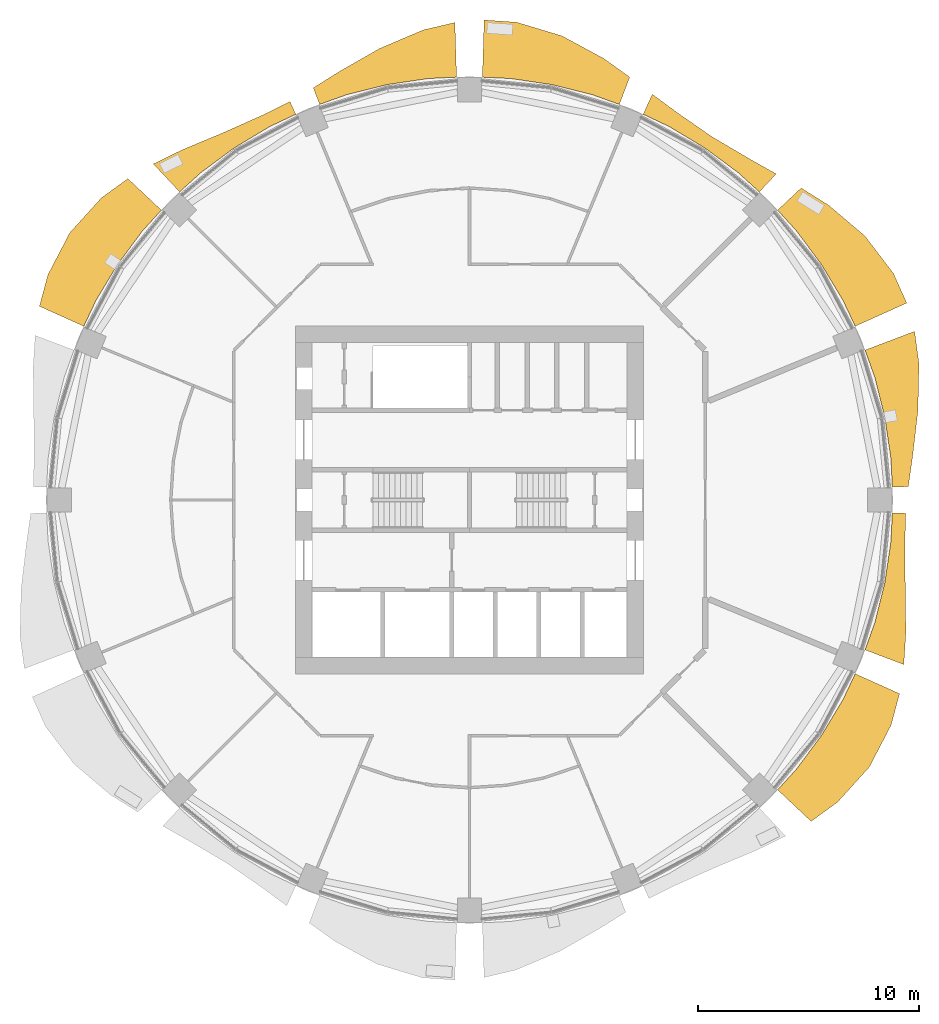
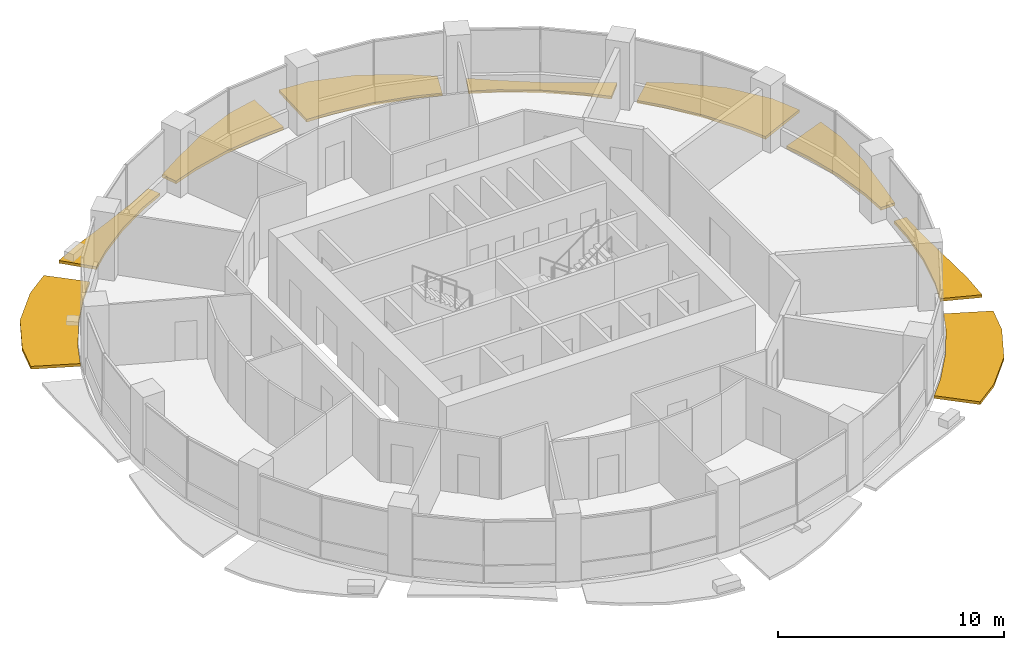
# One storey, part 13 of 14: 9 shading devices.
"""IFC4 building model written with IfcOpenShell, lengths in metres."""

import ifcopenshell
import ifcopenshell.guid

model = None  # the IFC model being written
_history = None  # IfcOwnerHistory: only IFC2X3 demands one
_inside = {}  # id of a spatial element -> (the spatial element, [elements in it])
_under = {}  # id of a project, library or spatial element -> (it, [spatial elements below it])
_declared = {}  # id of a project -> (the project, [libraries it declares])
_typed = {}  # id of a type object -> (the type object, [elements of that type])
_made_of = {}  # id of a material, layer set ... -> (it, [elements and type objects made of it])


def new_model(schema):
    """Start an empty IFC model of exactly this schema.

    Asked for "IFC4X3", IfcOpenShell would pick the latest addendum, in which some entities
    have other attributes; the version numbers below select the first issue.
    IFC2X3 requires an IfcOwnerHistory on every rooted entity: one is made here for all.
    """
    global model, _history
    if schema == "IFC4X3":
        model = ifcopenshell.file(schema_version=(4, 3, 0, 0))
    else:
        model = ifcopenshell.file(schema=schema)
    _inside.clear()
    _under.clear()
    _declared.clear()
    _typed.clear()
    _made_of.clear()
    _history = None
    if model.schema == "IFC2X3":
        org = make("IfcOrganization", Name="unknown")
        user = make(
            "IfcPersonAndOrganization",
            ThePerson=make("IfcPerson", FamilyName="unknown"),
            TheOrganization=org,
        )
        app = make(
            "IfcApplication",
            ApplicationDeveloper=org,
            Version="unknown",
            ApplicationFullName="unknown",
            ApplicationIdentifier="unknown",
        )
        _history = make(
            "IfcOwnerHistory",
            OwningUser=user,
            OwningApplication=app,
            ChangeAction="ADDED",
            CreationDate=0,
        )
    return model


def make(cls, **values):
    """One entity of the class cls with the attributes given. An attribute that is None is left unset."""
    return model.create_entity(
        cls, **{name: value for name, value in values.items() if value is not None}
    )


def rooted(cls, **values):
    """An entity with a GlobalId (a new one), such as an element, a storey or a relation."""
    return make(cls, GlobalId=ifcopenshell.guid.new(), OwnerHistory=_history, **values)


def si_unit(unit_type, name, prefix=None):
    """IfcSIUnit, for example si_unit("LENGTHUNIT", "METRE", prefix="MILLI")."""
    return make("IfcSIUnit", UnitType=unit_type, Prefix=prefix, Name=name)


def assignment(units):
    """IfcUnitAssignment: the units of a project."""
    return None if units is None else make("IfcUnitAssignment", Units=units)


def point(xyz):
    """IfcCartesianPoint."""
    return None if xyz is None else make("IfcCartesianPoint", Coordinates=xyz)


def direction(xyz):
    """IfcDirection."""
    return None if xyz is None else make("IfcDirection", DirectionRatios=xyz)


def frame(location, z_axis=None, x_axis=None):
    """IfcAxis2Placement3D, a coordinate frame: its origin and axes. An axis left out is left unset."""
    return make(
        "IfcAxis2Placement3D",
        Location=point(location),
        Axis=direction(z_axis),
        RefDirection=direction(x_axis),
    )


def origin():
    """The frame at (0, 0, 0) with its axes left unset."""
    return frame((0.0, 0.0, 0.0))


def place(relative_to, where):
    """IfcLocalPlacement: puts the frame where relative to a parent placement (None: the world)."""
    return make(
        "IfcLocalPlacement", PlacementRelTo=relative_to, RelativePlacement=where
    )


def context(
    kind, dimensions, precision=None, world=None, true_north=None, identifier=None
):
    """IfcGeometricRepresentationContext, for example the 3D "Model" context."""
    return make(
        "IfcGeometricRepresentationContext",
        ContextIdentifier=identifier,
        ContextType=kind,
        CoordinateSpaceDimension=dimensions,
        Precision=precision,
        WorldCoordinateSystem=world,
        TrueNorth=true_north,
    )


def subcontext(parent, identifier, kind, view, scale=None):
    """IfcGeometricRepresentationSubContext, for example "Body" below "Model"."""
    return make(
        "IfcGeometricRepresentationSubContext",
        ContextIdentifier=identifier,
        ContextType=kind,
        ParentContext=parent,
        TargetScale=scale,
        TargetView=view,
    )


def project(units=None, contexts=None):
    """IfcProject with its units and contexts."""
    return rooted(
        "IfcProject",
        Name="project",
        RepresentationContexts=contexts,
        UnitsInContext=assignment(units),
    )


def spatial(cls, under=None, at=None, **own):
    """A site, building, storey or space (cls), placed at a placement, below another one or the project."""
    s = rooted(cls, ObjectPlacement=at, **own)
    if under is not None:
        _under.setdefault(under.id(), (under, []))[1].append(s)
    return s


def polyline(points):
    """IfcPolyline through the points."""
    return make("IfcPolyline", Points=[point(p) for p in points])


def outline(outer, holes=None, kind="AREA"):
    """IfcArbitraryClosedProfileDef: a profile drawn as a closed curve; with holes, ...WithVoids."""
    if holes is None:
        return make("IfcArbitraryClosedProfileDef", ProfileType=kind, OuterCurve=outer)
    return make(
        "IfcArbitraryProfileDefWithVoids",
        ProfileType=kind,
        OuterCurve=outer,
        InnerCurves=holes,
    )


def extrude(swept, where, along, depth):
    """IfcExtrudedAreaSolid: the profile swept, set in the frame where, extruded along a direction by depth."""
    return make(
        "IfcExtrudedAreaSolid",
        SweptArea=swept,
        Position=where,
        ExtrudedDirection=direction(along),
        Depth=depth,
    )


def shape(context_of_items, identifier, shape_type, items):
    """IfcShapeRepresentation: the items that make up one representation, for example the "Body"."""
    return make(
        "IfcShapeRepresentation",
        ContextOfItems=context_of_items,
        RepresentationIdentifier=identifier,
        RepresentationType=shape_type,
        Items=items,
    )


def material(Name=None, Category=None):
    """IfcMaterial."""
    return make("IfcMaterial", Name=Name, Category=Category)


def made_of(thing, what):
    """Note that an element or type object is made of a material, layer set ...; save() writes the relation."""
    if what is not None:
        _made_of.setdefault(what.id(), (what, []))[1].append(thing)
    return thing


def type_object(cls, material=None, **own):
    """A type object (cls), such as IfcWallType, which elements share."""
    return made_of(rooted(cls, **own), material)


def element(
    cls,
    number,
    at=None,
    inside=None,
    cuts=None,
    type_object=None,
    material=None,
    context=None,
    identifier="Body",
    shape_type=None,
    held_by="IfcProductDefinitionShape",
    body=None,
    shapes=None,
    **own,
):
    """One element of the class cls, such as IfcWall. Its Tag is "e" and its number.

    at: its placement. inside: the storey or other place that contains it. cuts: it is an
    opening in that element (IfcRelVoidsElement). A single representation is given by context,
    identifier, shape_type and body (its items); several are given by shapes. held_by: the class
    of the entity that holds the representations. save() writes the other relations.
    """
    e = rooted(cls, Tag="e%d" % number, ObjectPlacement=at, **own)
    if body is not None:
        shapes = [shape(context, identifier, shape_type, body)]
    if shapes is not None:
        e.Representation = make(held_by, Representations=shapes)
    if inside is not None:
        _inside.setdefault(inside.id(), (inside, []))[1].append(e)
    if cuts is not None:
        rooted(
            "IfcRelVoidsElement", RelatingBuildingElement=cuts, RelatedOpeningElement=e
        )
    if type_object is not None:
        _typed.setdefault(type_object.id(), (type_object, []))[1].append(e)
    return made_of(e, material)


def aggregate(whole, parts):
    """IfcRelAggregates: a whole, such as a stair, and the parts it consists of."""
    return rooted("IfcRelAggregates", RelatingObject=whole, RelatedObjects=parts)


def save(model, path):
    """Write the relations noted so far, then the file.

    IfcRelAggregates (storeys below a building ...), IfcRelContainedInSpatialStructure (elements
    in a storey), IfcRelDefinesByType, IfcRelAssociatesMaterial and IfcRelDeclares: one each for
    every whole, place, type object, material and project.
    """
    for whole, parts in _under.values():
        aggregate(whole, parts)
    for where, things in _inside.values():
        rooted(
            "IfcRelContainedInSpatialStructure",
            RelatedElements=things,
            RelatingStructure=where,
        )
    for kind, things in _typed.values():
        rooted("IfcRelDefinesByType", RelatedObjects=things, RelatingType=kind)
    for what, things in _made_of.values():
        rooted("IfcRelAssociatesMaterial", RelatedObjects=things, RelatingMaterial=what)
    for by, libraries in _declared.values():
        rooted("IfcRelDeclares", RelatingContext=by, RelatedDefinitions=libraries)
    model.write(path)


model = new_model("IFC4")

# Units and contexts
model_context = context("Model", 3, precision=1e-05, world=origin(), true_north=direction((0.0, 1.0)))
body_context = subcontext(model_context, "Body", "Model", "MODEL_VIEW")
ifc_project = project(units=[si_unit("LENGTHUNIT", "METRE"), si_unit("AREAUNIT", "SQUARE_METRE"), si_unit("VOLUMEUNIT", "CUBIC_METRE"), si_unit("PLANEANGLEUNIT", "RADIAN"), si_unit("MASSUNIT", "GRAM", prefix="KILO")], contexts=[model_context])

# Site, building, storey
site_placement = place(None, origin())
site = spatial("IfcSite", under=ifc_project, at=site_placement, CompositionType="ELEMENT")
building_placement = place(site_placement, origin())
building = spatial("IfcBuilding", under=site, at=building_placement, Name="Polderwave Tower", CompositionType="ELEMENT")
storey_placement = place(building_placement, frame((0.0, 0.0, 112.89990234375)))
storey = spatial("IfcBuildingStorey", under=building, at=storey_placement, Name="L29", CompositionType="ELEMENT", Elevation=112.89990234375)

# Shading devices
ifc_material = material(Name="Terracotta", Category="masonry")
shading_device_type = type_object("IfcShadingDeviceType", Name="Terracotta sunshade band", PredefinedType="USERDEFINED", material=ifc_material)
shading_device_1_placement = place(storey_placement, frame((0.0, 0.0, -0.349853515625)))
element("IfcShadingDevice", 1, at=shading_device_1_placement, inside=storey, type_object=shading_device_type, Name="Sunshade band L29 1", ObjectType="SUNSHADE", PredefinedType="USERDEFINED", context=body_context, shape_type="SweptSolid", body=[
    extrude(outline(polyline([(19.1513671875, 0.584228515625), (19.087646484375, 1.8798828125), (18.8115234375, 3.74169921875), (18.35400390625, 5.567626953125), (17.9169921875, 6.789306640625), (20.159423828125, 7.638916015625), (20.35888671875, 6.17578125), (20.31103515625, 4.0400390625), (20.069580078125, 1.976806640625), (19.87548828125, 0.606201171875), (19.1513671875, 0.584228515625)])), origin(), (0.0, 0.0, 1.0), 0.14990234375),
])
shading_device_2_placement = place(storey_placement, frame((0.0, 0.0, -0.349853515625)))
element("IfcShadingDevice", 2, at=shading_device_2_placement, inside=storey, type_object=shading_device_type, Name="Sunshade band L29 2", ObjectType="SUNSHADE", PredefinedType="USERDEFINED", context=body_context, shape_type="SweptSolid", body=[
    extrude(outline(polyline([(17.469970703125, 7.86865234375), (16.915283203125, 9.04150390625), (15.947509765625, 10.65576171875), (14.826416015625, 12.167724609375), (13.955078125, 13.12890625), (15.019775390625, 14.130615234375), (16.267333984375, 13.350341796875), (17.906005859375, 11.964599609375), (19.201416015625, 10.26318359375), (19.8046875, 8.92041015625), (17.469970703125, 7.86865234375)])), origin(), (0.0, 0.0, 1.0), 0.14990234375),
])
shading_device_3_placement = place(storey_placement, frame((0.0, 0.0, -0.349853515625)))
element("IfcShadingDevice", 3, at=shading_device_3_placement, inside=storey, type_object=shading_device_type, Name="Sunshade band L29 3", ObjectType="SUNSHADE", PredefinedType="USERDEFINED", context=body_context, shape_type="SweptSolid", body=[
    extrude(outline(polyline([(13.12890625, 13.955078125), (12.167724609375, 14.826416015625), (10.65576171875, 15.947509765625), (9.04150390625, 16.915283203125), (7.86865234375, 17.469970703125), (8.2783203125, 18.37939453125), (9.385986328125, 17.56005859375), (10.990478515625, 16.448486328125), (12.681640625, 15.452392578125), (13.89404296875, 14.768310546875), (13.12890625, 13.955078125)])), origin(), (0.0, 0.0, 1.0), 0.14990234375),
])
shading_device_4_placement = place(storey_placement, frame((0.0, 0.0, -0.349853515625)))
element("IfcShadingDevice", 4, at=shading_device_4_placement, inside=storey, type_object=shading_device_type, Name="Sunshade band L29 4", ObjectType="SUNSHADE", PredefinedType="USERDEFINED", context=body_context, shape_type="SweptSolid", body=[
    extrude(outline(polyline([(6.789306640625, 17.9169921875), (5.567626953125, 18.35400390625), (3.74169921875, 18.8115234375), (1.8798828125, 19.087646484375), (0.584228515625, 19.1513671875), (0.6630859375, 21.740478515625), (2.13134765625, 21.6396484375), (4.181884765625, 21.023193359375), (6.068359375, 20.0048828125), (7.2578125, 19.154052734375), (6.789306640625, 17.9169921875)])), origin(), (0.0, 0.0, 1.0), 0.14990234375),
])
shading_device_5_placement = place(storey_placement, frame((0.0, 0.0, -0.349853515625)))
element("IfcShadingDevice", 5, at=shading_device_5_placement, inside=storey, type_object=shading_device_type, Name="Sunshade band L29 5", ObjectType="SUNSHADE", PredefinedType="USERDEFINED", context=body_context, shape_type="SweptSolid", body=[
    extrude(outline(polyline([(-0.584228515625, 19.1513671875), (-1.8798828125, 19.087646484375), (-3.74169921875, 18.8115234375), (-5.567626953125, 18.35400390625), (-6.789306640625, 17.9169921875), (-7.0732421875, 18.6669921875), (-5.888427734375, 19.411376953125), (-4.06787109375, 20.450439453125), (-2.096923828125, 21.290283203125), (-0.65966796875, 21.62548828125), (-0.584228515625, 19.1513671875)])), origin(), (0.0, 0.0, 1.0), 0.14990234375),
])
shading_device_6_placement = place(storey_placement, frame((0.0, 0.0, -0.349853515625)))
element("IfcShadingDevice", 6, at=shading_device_6_placement, inside=storey, type_object=shading_device_type, Name="Sunshade band L29 6", ObjectType="SUNSHADE", PredefinedType="USERDEFINED", context=body_context, shape_type="SweptSolid", body=[
    extrude(outline(polyline([(-7.86865234375, 17.469970703125), (-9.04150390625, 16.915283203125), (-10.65576171875, 15.947509765625), (-12.167724609375, 14.826416015625), (-13.12890625, 13.955078125), (-14.320068359375, 15.22119140625), (-13.01513671875, 15.85888671875), (-11.125, 16.649658203125), (-9.327880859375, 17.451416015625), (-8.131103515625, 18.052734375), (-7.86865234375, 17.469970703125)])), origin(), (0.0, 0.0, 1.0), 0.14990234375),
])
shading_device_7_placement = place(storey_placement, frame((0.0, 0.0, -0.349853515625)))
element("IfcShadingDevice", 7, at=shading_device_7_placement, inside=storey, type_object=shading_device_type, Name="Sunshade band L29 7", ObjectType="SUNSHADE", PredefinedType="USERDEFINED", context=body_context, shape_type="SweptSolid", body=[
    extrude(outline(polyline([(-13.955078125, 13.12890625), (-14.826416015625, 12.167724609375), (-15.947509765625, 10.65576171875), (-16.915283203125, 9.04150390625), (-17.469970703125, 7.86865234375), (-19.478271484375, 8.773193359375), (-19.092529296875, 10.205078125), (-18.107421875, 12.098876953125), (-16.673828125, 13.683837890625), (-15.47265625, 14.556396484375), (-13.955078125, 13.12890625)])), origin(), (0.0, 0.0, 1.0), 0.14990234375),
])
shading_device_8_placement = place(storey_placement, frame((0.0, 0.0, -0.349853515625)))
element("IfcShadingDevice", 8, at=shading_device_8_placement, inside=storey, type_object=shading_device_type, Name="Sunshade band L29 15", ObjectType="SUNSHADE", PredefinedType="USERDEFINED", context=body_context, shape_type="SweptSolid", body=[
    extrude(outline(polyline([(13.955078125, -13.12890625), (14.826416015625, -12.167724609375), (15.947509765625, -10.65576171875), (16.915283203125, -9.04150390625), (17.469970703125, -7.86865234375), (19.478271484375, -8.773193359375), (19.092529296875, -10.205078125), (18.107421875, -12.098876953125), (16.673828125, -13.683837890625), (15.47265625, -14.556396484375), (13.955078125, -13.12890625)])), origin(), (0.0, 0.0, 1.0), 0.14990234375),
])
shading_device_9_placement = place(storey_placement, frame((0.0, 0.0, -0.349853515625)))
element("IfcShadingDevice", 9, at=shading_device_9_placement, inside=storey, type_object=shading_device_type, Name="Sunshade band L29 16", ObjectType="SUNSHADE", PredefinedType="USERDEFINED", context=body_context, shape_type="SweptSolid", body=[
    extrude(outline(polyline([(17.9169921875, -6.789306640625), (18.35400390625, -5.567626953125), (18.8115234375, -3.74169921875), (19.087646484375, -1.8798828125), (19.1513671875, -0.584228515625), (19.760498046875, -0.602783203125), (19.72021484375, -1.9423828125), (19.73828125, -3.92626953125), (19.765625, -5.995849609375), (19.67236328125, -7.454345703125), (17.9169921875, -6.789306640625)])), origin(), (0.0, 0.0, 1.0), 0.14990234375),
])

save(model, "model.ifc")
